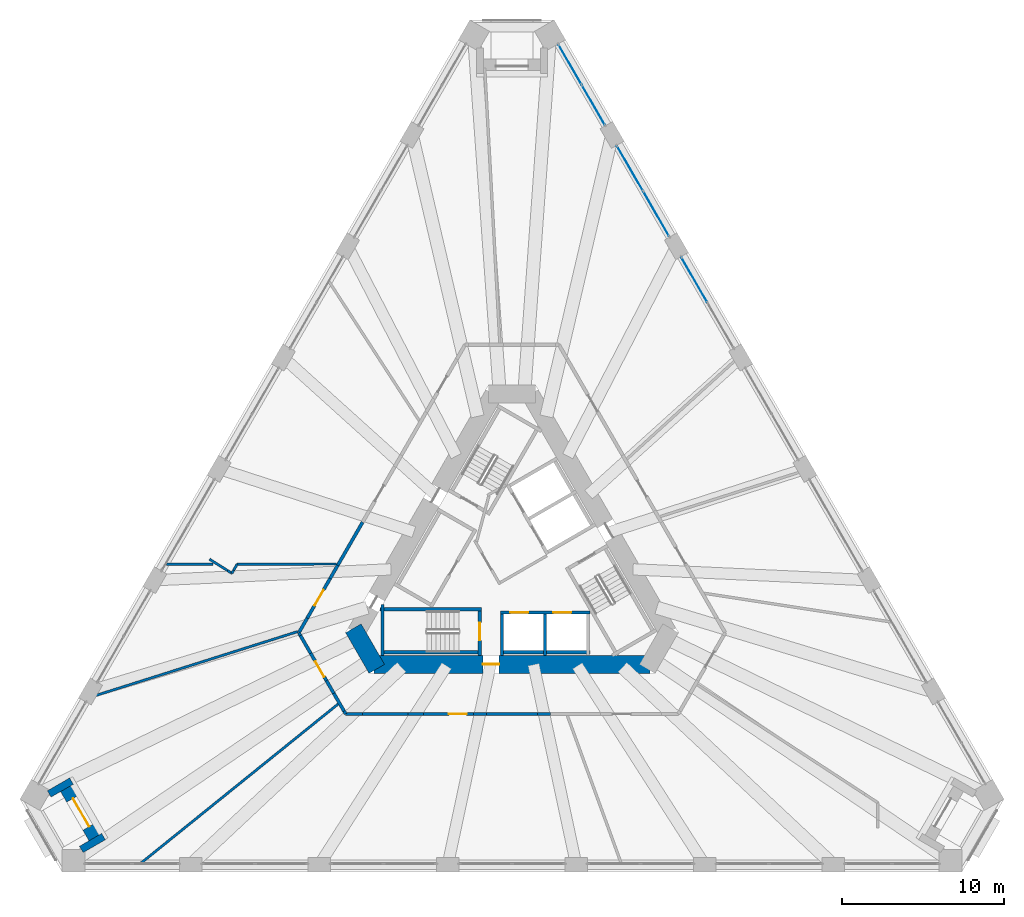
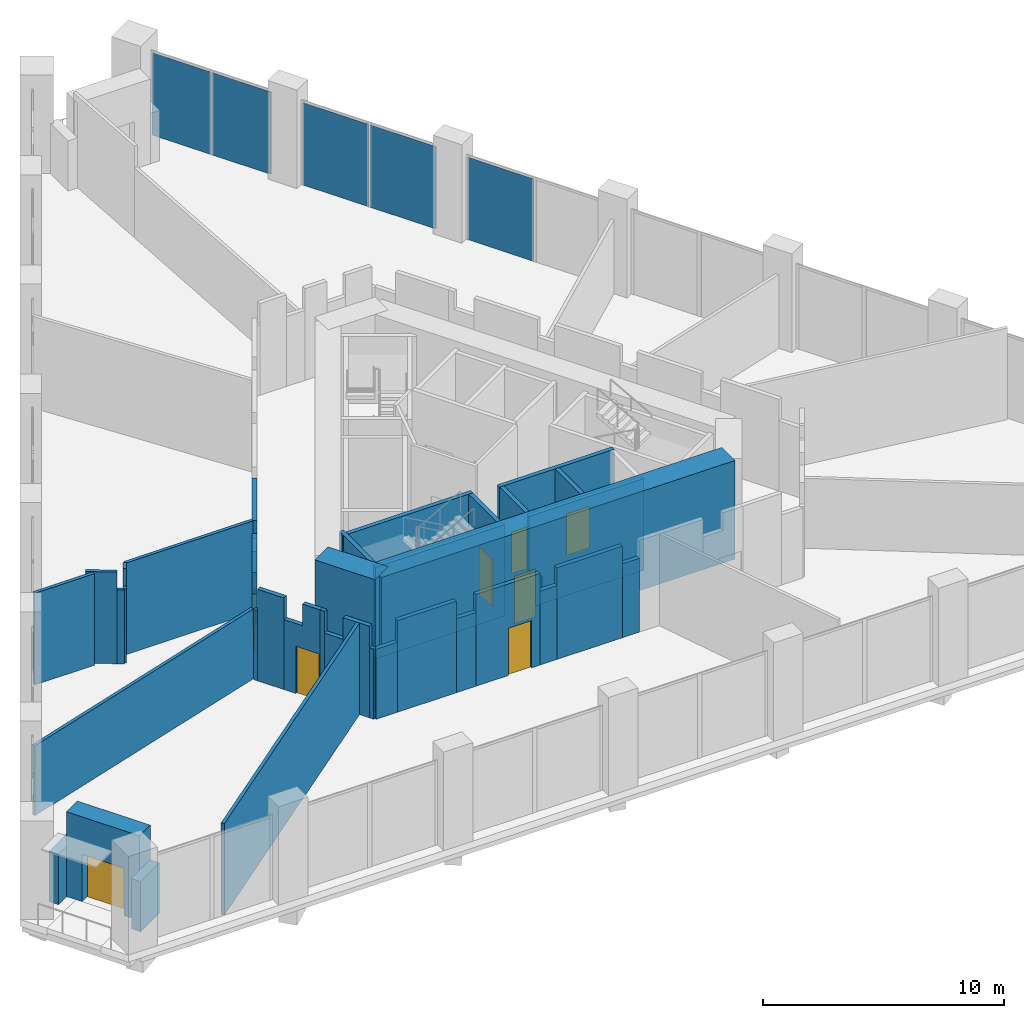
# One storey, part 13 of 20: 39 walls, 8 doors, 5 plates, 8 openings, 3 elements without a shape of their own.
"""IFC4 building model written with IfcOpenShell, lengths in metres."""

from ifc_helpers import new_model, si_unit, direction, frame, frame_2d, origin, origin_2d, place, context, subcontext, project, spatial, polyline, rectangle, outline, extrude, material, layer, layer_set, type_object, element, fill, aggregate, save


model = new_model("IFC4")

# Units and contexts
model_context = context("Model", 3, precision=1e-05, world=origin(), true_north=direction((0.0, 1.0)))
body_context = subcontext(model_context, "Body", "Model", "MODEL_VIEW")
ifc_project = project(units=[si_unit("LENGTHUNIT", "METRE"), si_unit("AREAUNIT", "SQUARE_METRE"), si_unit("VOLUMEUNIT", "CUBIC_METRE"), si_unit("PLANEANGLEUNIT", "RADIAN"), si_unit("MASSUNIT", "GRAM", prefix="KILO")], contexts=[model_context])

# Site, building, storey
site_placement = place(None, origin())
site = spatial("IfcSite", under=ifc_project, at=site_placement, CompositionType="ELEMENT")
building_placement = place(site_placement, origin())
building = spatial("IfcBuilding", under=site, at=building_placement, Name="Tramontana Tower", CompositionType="ELEMENT")
storey_placement = place(building_placement, frame((0.0, 0.0, 10.0)))
storey = spatial("IfcBuildingStorey", under=building, at=storey_placement, Name="L01", CompositionType="ELEMENT", Elevation=10.0)

# Curtain wall, plate
ifc_material_1 = material(Name="Aluminum extrusion", Category="aluminium")
ifc_layer_1 = layer(ifc_material_1, 0.14990234375)
ifc_layer_set_1 = layer_set([ifc_layer_1], Name="CW2 Podium amenity curtain wall")
curtain_wall_type = type_object("IfcCurtainWallType", Name="CW2 Podium amenity curtain wall", PredefinedType="NOTDEFINED", material=ifc_layer_set_1)
curtain_wall_1_placement = place(storey_placement, origin())
curtain_wall_1 = element("IfcCurtainWall", 1, at=curtain_wall_1_placement, inside=storey, type_object=curtain_wall_type, Name="CW2 curtain wall L01 face 2 bay 5", PredefinedType="NOTDEFINED")
ifc_material_2 = material(Name="Low-iron double glazing unit", Category="glass")
ifc_layer_2 = layer(ifc_material_2, 0.031982421875)
ifc_layer_set_2 = layer_set([ifc_layer_2], Name="CW2-P Glazing panel 32")
plate_type = type_object("IfcPlateType", Name="CW2-P Glazing panel 32", PredefinedType="CURTAIN_PANEL", material=ifc_layer_set_2)
plate_1_placement = place(storey_placement, frame((11.233642578125, 17.492919921875, 0.0), z_axis=(0.0, 0.0, 1.0), x_axis=(-0.5, 0.866025403784, 0.0)))
plate_1 = element("IfcPlate", 2, at=plate_1_placement, type_object=plate_type, Name="CW2 curtain wall L01 face 2 bay 5 panel 2.1", PredefinedType="CURTAIN_PANEL", context=body_context, shape_type="SweptSolid", body=[
    extrude(rectangle(XDim=3.1689453125, YDim=0.031982421875, at=origin_2d()), origin(), (0.0, 0.0, 1.0), 4.179931640625),
])
aggregate(curtain_wall_1, [plate_1])

# Curtain wall, plates
curtain_wall_2_placement = place(storey_placement, origin())
curtain_wall_2 = element("IfcCurtainWall", 3, at=curtain_wall_2_placement, inside=storey, type_object=curtain_wall_type, Name="CW2 curtain wall L01 face 2 bay 6", PredefinedType="NOTDEFINED")
plate_2_placement = place(storey_placement, frame((8.88916015625, 21.5537109375, 0.0), z_axis=(0.0, 0.0, 1.0), x_axis=(-0.5, 0.866025403784, 0.0)))
plate_2 = element("IfcPlate", 4, at=plate_2_placement, type_object=plate_type, Name="CW2 curtain wall L01 face 2 bay 6 panel 1.1", PredefinedType="CURTAIN_PANEL", context=body_context, shape_type="SweptSolid", body=[
    extrude(rectangle(XDim=3.1689453125, YDim=0.031982421875, at=origin_2d()), origin(), (0.0, 0.0, 1.0), 4.179931640625),
])
plate_3_placement = place(storey_placement, frame((7.274658203125, 24.349853515625, 0.0), z_axis=(0.0, 0.0, 1.0), x_axis=(-0.5, 0.866025403784, 0.0)))
plate_3 = element("IfcPlate", 5, at=plate_3_placement, type_object=plate_type, Name="CW2 curtain wall L01 face 2 bay 6 panel 2.1", PredefinedType="CURTAIN_PANEL", context=body_context, shape_type="SweptSolid", body=[
    extrude(rectangle(XDim=3.1689453125, YDim=0.031982421875, at=origin_2d()), origin(), (0.0, 0.0, 1.0), 4.179931640625),
])
aggregate(curtain_wall_2, [plate_2, plate_3])

curtain_wall_3_placement = place(storey_placement, origin())
curtain_wall_3 = element("IfcCurtainWall", 6, at=curtain_wall_3_placement, inside=storey, type_object=curtain_wall_type, Name="CW2 curtain wall L01 face 2 bay 7", PredefinedType="NOTDEFINED")
plate_4_placement = place(storey_placement, frame((5.017578125, 28.25927734375, 0.0), z_axis=(0.0, 0.0, 1.0), x_axis=(-0.5, 0.866025403784, 0.0)))
plate_4 = element("IfcPlate", 7, at=plate_4_placement, type_object=plate_type, Name="CW2 curtain wall L01 face 2 bay 7 panel 1.1", PredefinedType="CURTAIN_PANEL", context=body_context, shape_type="SweptSolid", body=[
    extrude(rectangle(XDim=2.819091796875, YDim=0.031982421875, at=origin_2d()), origin(), (0.0, 0.0, 1.0), 4.179931640625),
])
plate_5_placement = place(storey_placement, frame((3.578125, 30.75244140625, 0.0), z_axis=(0.0, 0.0, 1.0), x_axis=(-0.5, 0.866025403784, 0.0)))
plate_5 = element("IfcPlate", 8, at=plate_5_placement, type_object=plate_type, Name="CW2 curtain wall L01 face 2 bay 7 panel 2.1", PredefinedType="CURTAIN_PANEL", context=body_context, shape_type="SweptSolid", body=[
    extrude(rectangle(XDim=2.819091796875, YDim=0.031982421875, at=origin_2d()), origin(), (0.0, 0.0, 1.0), 4.179931640625),
])
aggregate(curtain_wall_3, [plate_4, plate_5])

# Wall
ifc_material_3 = material(Name="Concrete 70 MPa", Category="concrete")
ifc_layer_3 = layer(ifc_material_3, 1.10009765625)
ifc_layer_set_3 = layer_set([ifc_layer_3], Name="Core wall 1100 70 MPa")
wall_type_1 = type_object("IfcWallType", Name="Core wall 1100 70 MPa", PredefinedType="SHEAR", material=ifc_layer_set_3)
wall_1_placement = place(storey_placement, frame((-9.771728515625, -3.97509765625, 0.0), z_axis=(0.0, 0.0, 1.0), x_axis=(0.499995765644, -0.866027848477, 0.0)))
element("IfcWall", 9, at=wall_1_placement, inside=storey, type_object=wall_type_1, Name="Core wall C2 L01", PredefinedType="SHEAR", context=body_context, shape_type="SweptSolid", body=[
    extrude(rectangle(XDim=2.88671875, YDim=1.10009765625, at=frame_2d((1.443359375, 0.0))), origin(), (0.0, 0.0, 1.0), 5.0),
])

# Wall, opening, door
wall_2_placement = place(storey_placement, frame((-8.487060546875, -6.199951171875, 0.0), z_axis=(0.0, 0.0, 1.0), x_axis=(1.0, 0.0, 0.0)))
wall_2 = element("IfcWall", 10, at=wall_2_placement, inside=storey, type_object=wall_type_1, Name="Core wall C3 L01", PredefinedType="SHEAR", context=body_context, shape_type="SweptSolid", body=[
    extrude(rectangle(XDim=16.97412109375, YDim=1.10009765625, at=frame_2d((8.487060546875, 0.0))), origin(), (0.0, 0.0, 1.0), 5.0),
])
opening_1_placement = place(wall_2_placement, frame((6.69189453125, 0.0, 0.0)))
opening_1 = element("IfcOpeningElement", 11, at=opening_1_placement, cuts=wall_2, Name="Opening RG2", PredefinedType="OPENING", context=body_context, shape_type="SweptSolid", body=[
    extrude(rectangle(XDim=1.0, YDim=2.39990234375, at=frame_2d((0.5, 1.199951171875))), frame((0.0, 0.56005859375, 0.0), z_axis=(0.0, -1.0, 0.0), x_axis=(1.0, 0.0, 0.0)), (0.0, 0.0, 1.0), 1.1201171875),
])
ifc_material_4 = material(Name="Painted steel", Category="steel")
door_type_1 = type_object("IfcDoorType", Name="RING DOOR 1000", OperationType="SINGLE_SWING_LEFT", PredefinedType="DOOR", material=ifc_material_4)
door_1_placement = place(opening_1_placement, origin())
door_1 = element("IfcDoor", 12, at=door_1_placement, inside=storey, type_object=door_type_1, Name="Door RG2", OperationType="SINGLE_SWING_RIGHT", OverallHeight=2.39990234375, OverallWidth=1.0, PredefinedType="DOOR", context=body_context, shape_type="SweptSolid", body=[
    extrude(rectangle(XDim=1.0, YDim=2.39990234375, at=frame_2d((0.5, 1.199951171875))), frame((0.0, 0.02490234375, 0.0), z_axis=(0.0, -1.0, 0.0), x_axis=(1.0, 0.0, 0.0)), (0.0, 0.0, 1.0), 0.050048828125),
])
fill(opening_1, door_1)

# Walls
ifc_material_5 = material(Name="Blockwork", Category="masonry")
ifc_layer_4 = layer(ifc_material_5, 0.199951171875)
ifc_layer_set_4 = layer_set([ifc_layer_4], Name="ENTRY WALL 200")
wall_type_2 = type_object("IfcWallType", Name="ENTRY WALL 200", PredefinedType="SOLIDWALL", material=ifc_layer_set_4)
wall_3_placement = place(storey_placement, frame((2.383056640625, -9.25, 0.0), z_axis=(0.0, 0.0, 1.0), x_axis=(-1.0, 0.0, 0.0)))
element("IfcWall", 13, at=wall_3_placement, inside=storey, type_object=wall_type_2, Name="Wall ew2-4", PredefinedType="SOLIDWALL", context=body_context, shape_type="SweptSolid", body=[
    extrude(rectangle(XDim=0.81787109375, YDim=0.199951171875, at=frame_2d((0.408935546875, 0.0))), origin(), (0.0, 0.0, 1.0), 3.75),
])
wall_4_placement = place(storey_placement, frame((1.565185546875, -9.25, 0.0), z_axis=(0.0, 0.0, 1.0), x_axis=(-1.0, 0.0, 0.0)))
element("IfcWall", 14, at=wall_4_placement, inside=storey, type_object=wall_type_2, Name="Wall ew2-5", PredefinedType="SOLIDWALL", context=body_context, shape_type="SweptSolid", body=[
    extrude(rectangle(XDim=3.13037109375, YDim=0.199951171875, at=frame_2d((1.565185546875, 0.0))), origin(), (0.0, 0.0, 1.0), 4.64990234375),
])
wall_5_placement = place(storey_placement, frame((-1.565185546875, -9.25, 0.0), z_axis=(0.0, 0.0, 1.0), x_axis=(-1.0, 0.0, 0.0)))
element("IfcWall", 15, at=wall_5_placement, inside=storey, type_object=wall_type_2, Name="Wall ew2-6", PredefinedType="SOLIDWALL", context=body_context, shape_type="SweptSolid", body=[
    extrude(rectangle(XDim=0.81787109375, YDim=0.199951171875, at=frame_2d((0.408935546875, 0.0))), origin(), (0.0, 0.0, 1.0), 3.75),
])

# Wall, opening, door
wall_6_placement = place(storey_placement, frame((-2.383056640625, -9.25, 0.0), z_axis=(0.0, 0.0, 1.0), x_axis=(-1.0, 0.0, 0.0)))
wall_6 = element("IfcWall", 16, at=wall_6_placement, inside=storey, type_object=wall_type_2, Name="Wall ew2-7", PredefinedType="SOLIDWALL", context=body_context, shape_type="SweptSolid", body=[
    extrude(rectangle(XDim=3.064453125, YDim=0.199951171875, at=frame_2d((1.5322265625, 0.0))), origin(), (0.0, 0.0, 1.0), 4.64990234375),
])
opening_2_placement = place(wall_6_placement, frame((0.40576171875, 0.0, 0.0)))
opening_2 = element("IfcOpeningElement", 17, at=opening_2_placement, cuts=wall_6, Name="Opening L01-06", PredefinedType="OPENING", context=body_context, shape_type="SweptSolid", body=[
    extrude(rectangle(XDim=1.10009765625, YDim=2.39990234375, at=frame_2d((0.550048828125, 1.199951171875))), frame((0.0, 0.10986328125, 0.0), z_axis=(0.0, -1.0, 0.0), x_axis=(1.0, 0.0, 0.0)), (0.0, 0.0, 1.0), 0.219970703125),
])
ifc_material_6 = material(Name="Painted timber", Category="wood")
door_type_2 = type_object("IfcDoorType", Name="DOOR ENTRY 1100", OperationType="SINGLE_SWING_LEFT", PredefinedType="DOOR", material=ifc_material_6)
door_2_placement = place(opening_2_placement, origin())
door_2 = element("IfcDoor", 18, at=door_2_placement, inside=storey, type_object=door_type_2, Name="Door L01-06", OperationType="SINGLE_SWING_RIGHT", OverallHeight=2.39990234375, OverallWidth=1.10009765625, PredefinedType="DOOR", context=body_context, shape_type="SweptSolid", body=[
    extrude(rectangle(XDim=1.10009765625, YDim=2.39990234375, at=frame_2d((0.550048828125, 1.199951171875))), frame((0.0, 0.02490234375, 0.0), z_axis=(0.0, -1.0, 0.0), x_axis=(1.0, 0.0, 0.0)), (0.0, 0.0, 1.0), 0.050048828125),
])
fill(opening_2, door_2)

# Walls
wall_7_placement = place(storey_placement, frame((-5.447509765625, -9.25, 0.0), z_axis=(0.0, 0.0, 1.0), x_axis=(-1.0, 0.0, 0.0)))
element("IfcWall", 19, at=wall_7_placement, inside=storey, type_object=wall_type_2, Name="Wall ew2-8", PredefinedType="SOLIDWALL", context=body_context, shape_type="SweptSolid", body=[
    extrude(rectangle(XDim=0.949951171875, YDim=0.199951171875, at=frame_2d((0.47509765625, 0.0))), origin(), (0.0, 0.0, 1.0), 3.75),
])
wall_8_placement = place(storey_placement, frame((-6.3974609375, -9.25, 0.0), z_axis=(0.0, 0.0, 1.0), x_axis=(-1.0, 0.0, 0.0)))
element("IfcWall", 20, at=wall_8_placement, inside=storey, type_object=wall_type_2, Name="Wall ew2-9", PredefinedType="SOLIDWALL", context=body_context, shape_type="SweptSolid", body=[
    extrude(rectangle(XDim=2.815185546875, YDim=0.199951171875, at=frame_2d((1.40771484375, 0.0))), origin(), (0.0, 0.0, 1.0), 4.64990234375),
])
wall_9_placement = place(storey_placement, frame((-9.212646484375, -9.25, 0.0), z_axis=(0.0, 0.0, 1.0), x_axis=(-1.0, 0.0, 0.0)))
element("IfcWall", 21, at=wall_9_placement, inside=storey, type_object=wall_type_2, Name="Wall ew2-10", PredefinedType="SOLIDWALL", context=body_context, shape_type="SweptSolid", body=[
    extrude(rectangle(XDim=1.035400390625, YDim=0.199951171875, at=frame_2d((0.517578125, 0.0))), origin(), (0.0, 0.0, 1.0), 3.550048828125),
])
wall_10_placement = place(storey_placement, frame((-10.248046875, -9.25, 0.0), z_axis=(0.0, 0.0, 1.0), x_axis=(-0.499865263774, 0.866103179807, 0.0)))
element("IfcWall", 22, at=wall_10_placement, inside=storey, type_object=wall_type_2, Name="Wall ew3-0", PredefinedType="SOLIDWALL", context=body_context, shape_type="SweptSolid", body=[
    extrude(rectangle(XDim=0.197265625, YDim=0.199951171875, at=frame_2d((0.0986328125, 0.0))), origin(), (0.0, 0.0, 1.0), 3.550048828125),
])
wall_11_placement = place(storey_placement, frame((-10.3466796875, -9.0791015625, 0.0), z_axis=(0.0, 0.0, 1.0), x_axis=(-0.499911523785, 0.866076479525, 0.0)))
element("IfcWall", 23, at=wall_11_placement, inside=storey, type_object=wall_type_2, Name="Wall ew3-1", PredefinedType="SOLIDWALL", context=body_context, shape_type="SweptSolid", body=[
    extrude(rectangle(XDim=1.266845703125, YDim=0.199951171875, at=frame_2d((0.63330078125, 0.0))), origin(), (0.0, 0.0, 1.0), 4.64990234375),
])
wall_12_placement = place(storey_placement, frame((-10.97998046875, -7.98193359375, 0.0), z_axis=(0.0, 0.0, 1.0), x_axis=(-0.500097243556, 0.865969252911, 0.0)))
element("IfcWall", 24, at=wall_12_placement, inside=storey, type_object=wall_type_2, Name="Wall ew3-2", PredefinedType="SOLIDWALL", context=body_context, shape_type="SweptSolid", body=[
    extrude(rectangle(XDim=0.902099609375, YDim=0.199951171875, at=frame_2d((0.451171875, 0.0))), origin(), (0.0, 0.0, 1.0), 3.550048828125),
])
wall_13_placement = place(storey_placement, frame((-11.43115234375, -7.20068359375, 0.0), z_axis=(0.0, 0.0, 1.0), x_axis=(-0.499625687879, 0.866241405159, 0.0)))
element("IfcWall", 25, at=wall_13_placement, inside=storey, type_object=wall_type_2, Name="Wall ew3-3", PredefinedType="SOLIDWALL", context=body_context, shape_type="SweptSolid", body=[
    extrude(rectangle(XDim=0.218505859375, YDim=0.199951171875, at=frame_2d((0.109375, 0.0))), origin(), (0.0, 0.0, 1.0), 4.64990234375),
])

# Wall, opening, door
wall_14_placement = place(storey_placement, frame((-11.540283203125, -7.011474609375, 0.0), z_axis=(0.0, 0.0, 1.0), x_axis=(-0.500036993012, 0.866004044806, 0.0)))
wall_14 = element("IfcWall", 26, at=wall_14_placement, inside=storey, type_object=wall_type_2, Name="Wall ew3-4", PredefinedType="SOLIDWALL", context=body_context, shape_type="SweptSolid", body=[
    extrude(outline(polyline([(0.0, 0.0), (1.724365234375, 0.0), (1.724609375, 3.550048828125), (0.822265625, 3.550048828125), (0.822265625, 4.64990234375), (0.0, 4.64990234375), (0.0, 0.0)])), frame((0.0, 0.10009765625, 0.0), z_axis=(0.0, -1.0, 0.0), x_axis=(1.0, 0.0, 0.0)), (0.0, 0.0, 1.0), 0.199951171875),
])
opening_3_placement = place(wall_14_placement, frame((0.050048828125, 0.0, 0.0)))
opening_3 = element("IfcOpeningElement", 27, at=opening_3_placement, cuts=wall_14, Name="Opening L01-05", PredefinedType="OPENING", context=body_context, shape_type="SweptSolid", body=[
    extrude(rectangle(XDim=1.10009765625, YDim=2.39990234375, at=frame_2d((0.550048828125, 1.199951171875))), frame((0.0, 0.10986328125, 0.0), z_axis=(0.0, -1.0, 0.0), x_axis=(1.0, 0.0, 0.0)), (0.0, 0.0, 1.0), 0.219970703125),
])
door_3_placement = place(opening_3_placement, origin())
door_3 = element("IfcDoor", 28, at=door_3_placement, inside=storey, type_object=door_type_2, Name="Door L01-05", OperationType="SINGLE_SWING_LEFT", OverallHeight=2.39990234375, OverallWidth=1.10009765625, PredefinedType="DOOR", context=body_context, shape_type="SweptSolid", body=[
    extrude(rectangle(XDim=1.10009765625, YDim=2.39990234375, at=frame_2d((0.550048828125, 1.199951171875))), frame((0.0, 0.02490234375, 0.0), z_axis=(0.0, -1.0, 0.0), x_axis=(1.0, 0.0, 0.0)), (0.0, 0.0, 1.0), 0.050048828125),
])
fill(opening_3, door_3)

# Walls
wall_15_placement = place(storey_placement, frame((-12.402587890625, -5.51806640625, 0.0), z_axis=(0.0, 0.0, 1.0), x_axis=(-0.500056058743, 0.865993035835, 0.0)))
element("IfcWall", 29, at=wall_15_placement, inside=storey, type_object=wall_type_2, Name="Wall ew3-5", PredefinedType="SOLIDWALL", context=body_context, shape_type="SweptSolid", body=[
    extrude(rectangle(XDim=1.266845703125, YDim=0.199951171875, at=frame_2d((0.63330078125, 0.0))), origin(), (0.0, 0.0, 1.0), 4.64990234375),
])
wall_16_placement = place(storey_placement, frame((-13.0361328125, -4.4208984375, 0.0), z_axis=(0.0, 0.0, 1.0), x_axis=(-0.499865263774, 0.866103179807, 0.0)))
element("IfcWall", 30, at=wall_16_placement, inside=storey, type_object=wall_type_2, Name="Wall ew3-6", PredefinedType="SOLIDWALL", context=body_context, shape_type="SweptSolid", body=[
    extrude(rectangle(XDim=0.197265625, YDim=0.199951171875, at=frame_2d((0.0986328125, 0.0))), origin(), (0.0, 0.0, 1.0), 3.550048828125),
])
wall_17_placement = place(storey_placement, frame((-13.134765625, -4.25, 0.0), z_axis=(0.0, 0.0, 1.0), x_axis=(0.500171514983, 0.865926356915, 0.0)))
element("IfcWall", 31, at=wall_17_placement, inside=storey, type_object=wall_type_2, Name="Wall ew4-0", PredefinedType="SOLIDWALL", context=body_context, shape_type="SweptSolid", body=[
    extrude(rectangle(XDim=1.035400390625, YDim=0.199951171875, at=frame_2d((0.517578125, 0.0))), origin(), (0.0, 0.0, 1.0), 3.550048828125),
])

# Wall, opening, door
wall_18_placement = place(storey_placement, frame((-12.616943359375, -3.353515625, 0.0), z_axis=(0.0, 0.0, 1.0), x_axis=(0.49993514545, 0.866062844338, 0.0)))
wall_18 = element("IfcWall", 32, at=wall_18_placement, inside=storey, type_object=wall_type_2, Name="Wall ew4-1", PredefinedType="SOLIDWALL", context=body_context, shape_type="SweptSolid", body=[
    extrude(rectangle(XDim=2.815185546875, YDim=0.199951171875, at=frame_2d((1.40771484375, 0.0))), origin(), (0.0, 0.0, 1.0), 4.64990234375),
])
opening_4_placement = place(wall_18_placement, frame((0.911865234375, 0.0, 0.0)))
opening_4 = element("IfcOpeningElement", 33, at=opening_4_placement, cuts=wall_18, Name="Opening L01-04", PredefinedType="OPENING", context=body_context, shape_type="SweptSolid", body=[
    extrude(rectangle(XDim=1.10009765625, YDim=2.39990234375, at=frame_2d((0.550048828125, 1.199951171875))), frame((0.0, 0.10986328125, 0.0), z_axis=(0.0, -1.0, 0.0), x_axis=(1.0, 0.0, 0.0)), (0.0, 0.0, 1.0), 0.219970703125),
])
door_4_placement = place(opening_4_placement, origin())
door_4 = element("IfcDoor", 34, at=door_4_placement, inside=storey, type_object=door_type_2, Name="Door L01-04", OperationType="SINGLE_SWING_RIGHT", OverallHeight=2.39990234375, OverallWidth=1.10009765625, PredefinedType="DOOR", context=body_context, shape_type="SweptSolid", body=[
    extrude(rectangle(XDim=1.10009765625, YDim=2.39990234375, at=frame_2d((0.550048828125, 1.199951171875))), frame((0.0, 0.02490234375, 0.0), z_axis=(0.0, -1.0, 0.0), x_axis=(1.0, 0.0, 0.0)), (0.0, 0.0, 1.0), 0.050048828125),
])
fill(opening_4, door_4)

# Walls
wall_19_placement = place(storey_placement, frame((-11.20947265625, -0.915283203125, 0.0), z_axis=(0.0, 0.0, 1.0), x_axis=(0.500174821557, 0.865924446982, 0.0)))
element("IfcWall", 35, at=wall_19_placement, inside=storey, type_object=wall_type_2, Name="Wall ew4-2", PredefinedType="SOLIDWALL", context=body_context, shape_type="SweptSolid", body=[
    extrude(rectangle(XDim=0.949951171875, YDim=0.199951171875, at=frame_2d((0.47509765625, 0.0))), origin(), (0.0, 0.0, 1.0), 3.75),
])
wall_20_placement = place(storey_placement, frame((-10.734375, -0.0927734375, 0.0), z_axis=(0.0, 0.0, 1.0), x_axis=(0.499952348839, 0.866052913447, 0.0)))
element("IfcWall", 36, at=wall_20_placement, inside=storey, type_object=wall_type_2, Name="Wall ew4-3", PredefinedType="SOLIDWALL", context=body_context, shape_type="SweptSolid", body=[
    extrude(rectangle(XDim=3.064208984375, YDim=0.199951171875, at=frame_2d((1.5322265625, 0.0))), origin(), (0.0, 0.0, 1.0), 4.64990234375),
])
ifc_material_7 = material(Name="Precast concrete 60 MPa", Category="concrete")
ifc_layer_5 = layer(ifc_material_7, 0.449951171875)
ifc_layer_set_5 = layer_set([ifc_layer_5], Name="Precast concrete 60 MPa, 450 mm")
wall_type_3 = type_object("IfcWallType", Name="EW1 Stone-faced precast wall 450", PredefinedType="SOLIDWALL", material=ifc_layer_set_5)
wall_21_placement = place(storey_placement, frame((-26.5341796875, -17.60009765625, 0.0), z_axis=(0.0, 0.0, 1.0), x_axis=(0.86597962928, 0.500079275387, 0.0)))
element("IfcWall", 37, at=wall_21_placement, inside=storey, type_object=wall_type_3, Name="Corner loggia side wall L01 K01l", PredefinedType="SOLIDWALL", context=body_context, shape_type="SweptSolid", body=[
    extrude(rectangle(XDim=1.579345703125, YDim=0.449951171875, at=frame_2d((0.78955078125, 0.0))), origin(), (0.0, 0.0, 1.0), 2.550048828125),
])
wall_22_placement = place(storey_placement, frame((-28.509033203125, -14.17919921875, 0.0), z_axis=(0.0, 0.0, 1.0), x_axis=(0.866046570609, 0.499963336192, 0.0)))
element("IfcWall", 38, at=wall_22_placement, inside=storey, type_object=wall_type_3, Name="Corner loggia side wall L01 K01r", PredefinedType="SOLIDWALL", context=body_context, shape_type="SweptSolid", body=[
    extrude(rectangle(XDim=1.5791015625, YDim=0.449951171875, at=frame_2d((0.78955078125, 0.0))), origin(), (0.0, 0.0, 1.0), 2.550048828125),
])

# Wall, opening, door
ifc_material_8 = material(Name="Precast concrete 60 MPa", Category="concrete")
ifc_layer_6 = layer(ifc_material_8, 0.89990234375)
ifc_layer_set_6 = layer_set([ifc_layer_6], Name="EW2 Stone-faced corner loggia wall 900")
wall_type_4 = type_object("IfcWallType", Name="EW2 Stone-faced corner loggia wall 900", PredefinedType="SOLIDWALL", material=ifc_layer_set_6)
wall_23_placement = place(storey_placement, frame((-25.668701171875, -16.840576171875, 0.0), z_axis=(0.0, 0.0, 1.0), x_axis=(-0.500010275428, 0.866019471182, 0.0)))
wall_23 = element("IfcWall", 39, at=wall_23_placement, inside=storey, type_object=wall_type_4, Name="Corner loggia wall L01 K01", PredefinedType="SOLIDWALL", context=body_context, shape_type="SweptSolid", body=[
    extrude(rectangle(XDim=3.5, YDim=0.89990234375, at=frame_2d((1.75, 0.0))), origin(), (0.0, 0.0, 1.0), 4.300048828125),
])
opening_5_placement = place(wall_23_placement, frame((0.75, 0.0, 0.0)))
opening_5 = element("IfcOpeningElement", 40, at=opening_5_placement, cuts=wall_23, Name="Opening BD-01C", PredefinedType="OPENING", context=body_context, shape_type="SweptSolid", body=[
    extrude(rectangle(XDim=2.0, YDim=2.39990234375, at=frame_2d((1.0, 1.199951171875))), frame((0.0, 0.4599609375, 0.0), z_axis=(0.0, -1.0, 0.0), x_axis=(1.0, 0.0, 0.0)), (0.0, 0.0, 1.0), 0.919921875),
])
ifc_material_9 = material(Name="Aluminum frame, double glazing unit", Category="aluminium")
door_type_3 = type_object("IfcDoorType", Name="BC1 Sliding door 2 x 2.4", OperationType="SLIDING_TO_LEFT", PredefinedType="DOOR", material=ifc_material_9)
door_5_placement = place(opening_5_placement, origin())
door_5 = element("IfcDoor", 41, at=door_5_placement, inside=storey, type_object=door_type_3, Name="Corner loggia door L01 K01", OperationType="SLIDING_TO_LEFT", OverallHeight=2.39990234375, OverallWidth=2.0, PredefinedType="DOOR", context=body_context, shape_type="SweptSolid", body=[
    extrude(rectangle(XDim=2.0, YDim=2.39990234375, at=frame_2d((1.0, 1.199951171875))), frame((0.0, 0.02490234375, 0.0), z_axis=(0.0, -1.0, 0.0), x_axis=(1.0, 0.0, 0.0)), (0.0, 0.0, 1.0), 0.050048828125),
])
fill(opening_5, door_5)

# Walls
ifc_material_10 = material(Name="Gypsum board partition")
ifc_layer_7 = layer(ifc_material_10, 0.14990234375)
ifc_layer_set_7 = layer_set([ifc_layer_7], Name="PARTITION 150")
wall_type_5 = type_object("IfcWallType", Name="PARTITION 150", PredefinedType="PARTITIONING", material=ifc_layer_set_7)
wall_24_placement = place(storey_placement, frame((-18.431884765625, -0.02490234375, 0.0), z_axis=(0.0, 0.0, 1.0), x_axis=(-0.999999071147, -0.001362976841, 0.0)))
element("IfcWall", 42, at=wall_24_placement, inside=storey, type_object=wall_type_5, Name="Wall fw-pw00", PredefinedType="PARTITIONING", context=body_context, shape_type="SweptSolid", body=[
    extrude(rectangle(XDim=2.865966796875, YDim=0.14990234375, at=frame_2d((1.43310546875, 0.0))), origin(), (0.0, 0.0, 1.0), 4.64990234375),
])
wall_25_placement = place(storey_placement, frame((-17.256103515625, -0.58837890625, 0.0), z_axis=(0.0, 0.0, 1.0), x_axis=(-0.846156657223, 0.532934246823, 0.0)))
element("IfcWall", 43, at=wall_25_placement, inside=storey, type_object=wall_type_5, Name="Wall fw-pw01-0", PredefinedType="PARTITIONING", context=body_context, shape_type="SweptSolid", body=[
    extrude(rectangle(XDim=0.321044921875, YDim=0.14990234375, at=frame_2d((0.16064453125, 0.0))), origin(), (0.0, 0.0, 1.0), 3.75),
])
wall_26_placement = place(storey_placement, frame((-17.52783203125, -0.417236328125, 0.0), z_axis=(0.0, 0.0, 1.0), x_axis=(-0.846108327914, 0.533010973091, 0.0)))
element("IfcWall", 44, at=wall_26_placement, inside=storey, type_object=wall_type_5, Name="Wall fw-pw01-1", PredefinedType="PARTITIONING", context=body_context, shape_type="SweptSolid", body=[
    extrude(rectangle(XDim=1.31005859375, YDim=0.14990234375, at=frame_2d((0.655029296875, 0.0))), origin(), (0.0, 0.0, 1.0), 4.64990234375),
])
wall_27_placement = place(storey_placement, frame((-16.93017578125, -0.02392578125, 0.0), z_axis=(0.0, 0.0, 1.0), x_axis=(-0.500193229689, -0.865913813825, 0.0)))
element("IfcWall", 45, at=wall_27_placement, inside=storey, type_object=wall_type_5, Name="Wall fw-pw02-0", PredefinedType="PARTITIONING", context=body_context, shape_type="SweptSolid", body=[
    extrude(rectangle(XDim=0.433837890625, YDim=0.14990234375, at=frame_2d((0.216796875, 0.0))), origin(), (0.0, 0.0, 1.0), 4.64990234375),
])
wall_28_placement = place(storey_placement, frame((-17.147216796875, -0.399658203125, 0.0), z_axis=(0.0, 0.0, 1.0), x_axis=(-0.499754787977, -0.866166930732, 0.0)))
element("IfcWall", 46, at=wall_28_placement, inside=storey, type_object=wall_type_5, Name="Wall fw-pw02-1", PredefinedType="PARTITIONING", context=body_context, shape_type="SweptSolid", body=[
    extrude(rectangle(XDim=0.2177734375, YDim=0.14990234375, at=frame_2d((0.10888671875, 0.0))), origin(), (0.0, 0.0, 1.0), 3.75),
])
wall_29_placement = place(storey_placement, frame((-13.210205078125, -4.1806640625, 0.0), z_axis=(0.0, 0.0, 1.0), x_axis=(-0.953395736476, -0.301722670128, 0.0)))
element("IfcWall", 47, at=wall_29_placement, inside=storey, type_object=wall_type_5, Name="Wall fw-pw03-0", PredefinedType="PARTITIONING", context=body_context, shape_type="SweptSolid", body=[
    extrude(rectangle(XDim=13.45556640625, YDim=0.14990234375, at=frame_2d((6.727783203125, 0.0))), origin(), (0.0, 0.0, 1.0), 3.550048828125),
])
wall_30_placement = place(storey_placement, frame((-10.804931640625, -0.0146484375, 0.0), z_axis=(0.0, 0.0, 1.0), x_axis=(-0.999999081238, -0.001355552538, 0.0)))
element("IfcWall", 48, at=wall_30_placement, inside=storey, type_object=wall_type_5, Name="Wall fw-pw04", PredefinedType="PARTITIONING", context=body_context, shape_type="SweptSolid", body=[
    extrude(rectangle(XDim=6.12353515625, YDim=0.14990234375, at=frame_2d((3.061767578125, 0.0))), origin(), (0.0, 0.0, 1.0), 4.64990234375),
])
wall_31_placement = place(storey_placement, frame((-10.713623046875, -8.643798828125, 0.0), z_axis=(0.0, 0.0, 1.0), x_axis=(-0.77828239895, -0.627914410955, 0.0)))
element("IfcWall", 49, at=wall_31_placement, inside=storey, type_object=wall_type_5, Name="Wall fw-pw05", PredefinedType="PARTITIONING", context=body_context, shape_type="SweptSolid", body=[
    extrude(rectangle(XDim=15.585205078125, YDim=0.14990234375, at=frame_2d((7.79248046875, 0.0))), origin(), (0.0, 0.0, 1.0), 4.64990234375),
])
ifc_material_11 = material(Name="Concrete 70 MPa", Category="concrete")
ifc_layer_8 = layer(ifc_material_11, 0.199951171875)
ifc_layer_set_8 = layer_set([ifc_layer_8], Name="Concrete 70 MPa, 200 mm")
wall_type_6 = type_object("IfcWallType", Name="RC SHAFT BACK WALL 200", PredefinedType="SOLIDWALL", material=ifc_layer_set_8)
wall_32_placement = place(storey_placement, frame((-8.080078125, -5.449951171875, 0.0), z_axis=(0.0, 0.0, 1.0), x_axis=(1.0, 0.0, 0.0)))
element("IfcWall", 50, at=wall_32_placement, inside=storey, type_object=wall_type_6, Name="Wall st2-back", PredefinedType="SOLIDWALL", context=body_context, shape_type="SweptSolid", body=[
    extrude(rectangle(XDim=6.2001953125, YDim=0.199951171875, at=frame_2d((3.10009765625, 0.0))), origin(), (0.0, 0.0, 1.0), 4.64990234375),
])
wall_33_placement = place(storey_placement, frame((-0.7099609375, -5.449951171875, 0.0), z_axis=(0.0, 0.0, 1.0), x_axis=(1.0, 0.0, 0.0)))
element("IfcWall", 51, at=wall_33_placement, inside=storey, type_object=wall_type_6, Name="Wall row1-back", PredefinedType="SOLIDWALL", context=body_context, shape_type="SweptSolid", body=[
    extrude(rectangle(XDim=5.5, YDim=0.199951171875, at=frame_2d((2.75, 0.0))), origin(), (0.0, 0.0, 1.0), 4.64990234375),
])
ifc_material_12 = material(Name="Concrete 70 MPa", Category="concrete")
ifc_layer_9 = layer(ifc_material_12, 0.199951171875)
ifc_layer_set_9 = layer_set([ifc_layer_9], Name="Concrete 70 MPa, 200 mm")
wall_type_7 = type_object("IfcWallType", Name="RC STAIR AND SHAFT WALL 200", PredefinedType="SOLIDWALL", material=ifc_layer_set_9)
wall_34_placement = place(storey_placement, frame((-8.140625, -2.800048828125, 0.0), z_axis=(0.0, 0.0, 1.0), x_axis=(1.0, 0.0, 0.0)))
element("IfcWall", 52, at=wall_34_placement, inside=storey, type_object=wall_type_7, Name="Wall st2-front", PredefinedType="SOLIDWALL", context=body_context, shape_type="SweptSolid", body=[
    extrude(rectangle(XDim=6.2607421875, YDim=0.199951171875, at=frame_2d((3.13037109375, 0.0))), origin(), (0.0, 0.0, 1.0), 4.64990234375),
])
wall_35_placement = place(storey_placement, frame((-7.97998046875, -2.521728515625, 0.0), z_axis=(0.0, 0.0, 1.0), x_axis=(0.0, -1.0, 0.0)))
element("IfcWall", 53, at=wall_35_placement, inside=storey, type_object=wall_type_7, Name="Wall st2-far", PredefinedType="SOLIDWALL", context=body_context, shape_type="SweptSolid", body=[
    extrude(rectangle(XDim=3.128173828125, YDim=0.199951171875, at=frame_2d((1.56396484375, 0.0))), origin(), (0.0, 0.0, 1.0), 4.64990234375),
])

# Wall, opening, door
wall_36_placement = place(storey_placement, frame((-1.97998046875, -2.89990234375, 0.0), z_axis=(0.0, 0.0, 1.0), x_axis=(0.0, -1.0, 0.0)))
wall_36 = element("IfcWall", 54, at=wall_36_placement, inside=storey, type_object=wall_type_7, Name="Wall st2-near", PredefinedType="SOLIDWALL", context=body_context, shape_type="SweptSolid", body=[
    extrude(rectangle(XDim=2.75, YDim=0.199951171875, at=frame_2d((1.375, 0.0))), origin(), (0.0, 0.0, 1.0), 4.64990234375),
])
opening_6_placement = place(wall_36_placement, frame((0.72509765625, 0.0, 0.0)))
opening_6 = element("IfcOpeningElement", 55, at=opening_6_placement, cuts=wall_36, Name="Opening SD2", PredefinedType="OPENING", context=body_context, shape_type="SweptSolid", body=[
    extrude(rectangle(XDim=1.10009765625, YDim=2.39990234375, at=frame_2d((0.550048828125, 1.199951171875))), frame((0.0, 0.10986328125, 0.0), z_axis=(0.0, -1.0, 0.0), x_axis=(1.0, 0.0, 0.0)), (0.0, 0.0, 1.0), 0.219970703125),
])
ifc_material_13 = material(Name="Painted steel", Category="steel")
door_type_4 = type_object("IfcDoorType", Name="STAIR DOOR 1100", OperationType="SINGLE_SWING_LEFT", PredefinedType="DOOR", material=ifc_material_13)
door_6_placement = place(opening_6_placement, origin())
door_6 = element("IfcDoor", 56, at=door_6_placement, inside=storey, type_object=door_type_4, Name="Door SD2", OperationType="SINGLE_SWING_LEFT", OverallHeight=2.39990234375, OverallWidth=1.10009765625, PredefinedType="DOOR", context=body_context, shape_type="SweptSolid", body=[
    extrude(rectangle(XDim=1.10009765625, YDim=2.39990234375, at=frame_2d((0.550048828125, 1.199951171875))), frame((0.0, 0.02490234375, 0.0), z_axis=(0.0, -1.0, 0.0), x_axis=(1.0, 0.0, 0.0)), (0.0, 0.0, 1.0), 0.050048828125),
])
fill(opening_6, door_6)

# Wall, openings, doors
wall_37_placement = place(storey_placement, frame((-0.7099609375, -3.0, 0.0), z_axis=(0.0, 0.0, 1.0), x_axis=(1.0, 0.0, 0.0)))
wall_37 = element("IfcWall", 57, at=wall_37_placement, inside=storey, type_object=wall_type_7, Name="Wall row1-front", PredefinedType="SOLIDWALL", context=body_context, shape_type="SweptSolid", body=[
    extrude(rectangle(XDim=5.5, YDim=0.199951171875, at=frame_2d((2.75, 0.0))), origin(), (0.0, 0.0, 1.0), 4.64990234375),
])
opening_7_placement = place(wall_37_placement, frame((0.610107421875, 0.0, 0.0)))
opening_7 = element("IfcOpeningElement", 58, at=opening_7_placement, cuts=wall_37, Name="Opening LD-S1", PredefinedType="OPENING", context=body_context, shape_type="SweptSolid", body=[
    extrude(rectangle(XDim=1.10009765625, YDim=2.10009765625, at=frame_2d((0.550048828125, 1.050048828125))), frame((0.0, 0.10986328125, 0.0), z_axis=(0.0, -1.0, 0.0), x_axis=(1.0, 0.0, 0.0)), (0.0, 0.0, 1.0), 0.219970703125),
])
opening_8_placement = place(wall_37_placement, frame((3.260009765625, 0.0, 0.0)))
opening_8 = element("IfcOpeningElement", 59, at=opening_8_placement, cuts=wall_37, Name="Opening LD-S2", PredefinedType="OPENING", context=body_context, shape_type="SweptSolid", body=[
    extrude(rectangle(XDim=1.10009765625, YDim=2.10009765625, at=frame_2d((0.550048828125, 1.050048828125))), frame((0.0, 0.10986328125, 0.0), z_axis=(0.0, -1.0, 0.0), x_axis=(1.0, 0.0, 0.0)), (0.0, 0.0, 1.0), 0.219970703125),
])
ifc_material_14 = material(Name="Brushed steel", Category="steel")
door_type_5 = type_object("IfcDoorType", Name="LANDING DOOR 1100", OperationType="SINGLE_SWING_LEFT", PredefinedType="DOOR", material=ifc_material_14)
door_7_placement = place(opening_7_placement, origin())
door_7 = element("IfcDoor", 60, at=door_7_placement, inside=storey, type_object=door_type_5, Name="Door LD-S1", OperationType="SLIDING_TO_RIGHT", OverallHeight=2.10009765625, OverallWidth=1.10009765625, PredefinedType="DOOR", context=body_context, shape_type="SweptSolid", body=[
    extrude(rectangle(XDim=1.10009765625, YDim=2.10009765625, at=frame_2d((0.550048828125, 1.050048828125))), frame((0.0, 0.02490234375, 0.0), z_axis=(0.0, -1.0, 0.0), x_axis=(1.0, 0.0, 0.0)), (0.0, 0.0, 1.0), 0.050048828125),
])
fill(opening_7, door_7)
door_8_placement = place(opening_8_placement, origin())
door_8 = element("IfcDoor", 61, at=door_8_placement, inside=storey, type_object=door_type_5, Name="Door LD-S2", OperationType="SLIDING_TO_LEFT", OverallHeight=2.10009765625, OverallWidth=1.10009765625, PredefinedType="DOOR", context=body_context, shape_type="SweptSolid", body=[
    extrude(rectangle(XDim=1.10009765625, YDim=2.10009765625, at=frame_2d((0.550048828125, 1.050048828125))), frame((0.0, 0.02490234375, 0.0), z_axis=(0.0, -1.0, 0.0), x_axis=(1.0, 0.0, 0.0)), (0.0, 0.0, 1.0), 0.050048828125),
])
fill(opening_8, door_8)

# Walls
for number, where, z_axis, x_axis, name in (
    (62, (-0.610107421875, -3.10009765625, 0.0), (0.0, 0.0, 1.0), (0.0, -1.0, 0.0), "Wall row1-side0"),
    (63, (2.0400390625, -3.10009765625, 0.0), (0.0, 0.0, 1.0), (0.0, -1.0, 0.0), "Wall row1-side1"),
):
    element("IfcWall", number, at=place(storey_placement, frame(where, z_axis=z_axis, x_axis=x_axis)), inside=storey, type_object=wall_type_7, Name=name, PredefinedType="SOLIDWALL", context=body_context, shape_type="SweptSolid", body=[
        extrude(rectangle(XDim=2.5498046875, YDim=0.199951171875, at=frame_2d((1.27490234375, 0.0))), origin(), (0.0, 0.0, 1.0), 4.64990234375),
    ])

save(model, "model.ifc")
